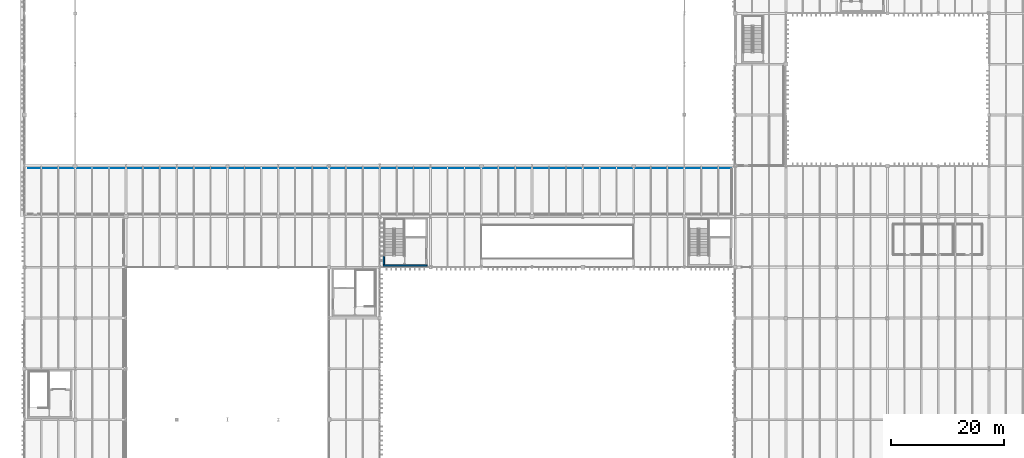
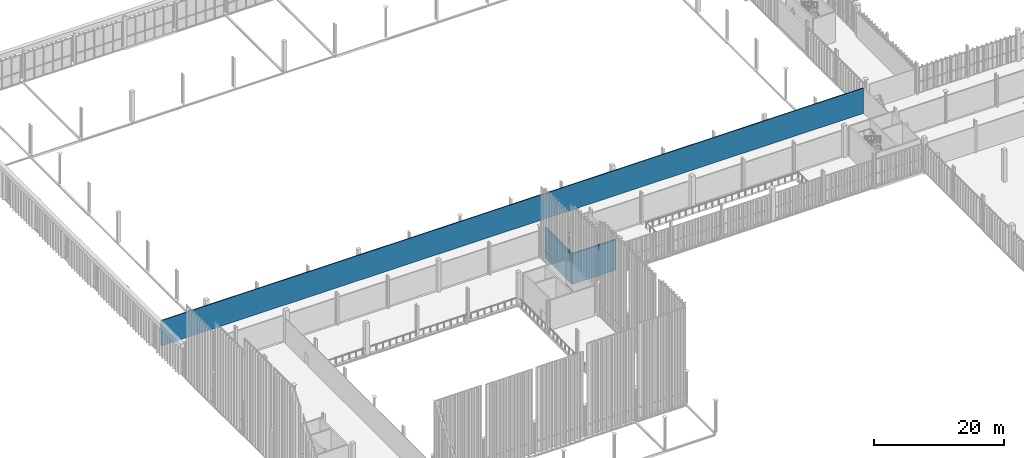
# One storey, part 207 of 237: 3 walls.
"""IFC4 building model written with IfcOpenShell, lengths in metres."""

from ifc_helpers import new_model, si_unit, direction, frame, frame_2d, origin, place, context, subcontext, project, spatial, rectangle, extrude, material, layer, layer_set, type_object, element, save


model = new_model("IFC4")

# Units and contexts
model_context = context("Model", 3, precision=1e-05, world=origin(), true_north=direction((0.0, 1.0)))
body_context = subcontext(model_context, "Body", "Model", "MODEL_VIEW")
ifc_project = project(units=[si_unit("LENGTHUNIT", "METRE"), si_unit("AREAUNIT", "SQUARE_METRE"), si_unit("VOLUMEUNIT", "CUBIC_METRE"), si_unit("PLANEANGLEUNIT", "RADIAN"), si_unit("MASSUNIT", "GRAM", prefix="KILO")], contexts=[model_context])

# Site, building, storey
site_placement = place(None, origin())
site = spatial("IfcSite", under=ifc_project, at=site_placement, CompositionType="ELEMENT")
building_placement = place(site_placement, origin())
building = spatial("IfcBuilding", under=site, at=building_placement, Name="Barlavento Convention Centre", CompositionType="ELEMENT")
storey_placement = place(building_placement, frame((0.0, 0.0, 12.0)))
storey = spatial("IfcBuildingStorey", under=building, at=storey_placement, Name="L02", CompositionType="ELEMENT", Elevation=12.0)

# Walls
ifc_material_1 = material(Name="Fire-rated gypsum partition")
ifc_layer_1 = layer(ifc_material_1, 0.169921875)
ifc_layer_set_1 = layer_set([ifc_layer_1], Name="ARC-WL-PART-170")
wall_type_1 = type_object("IfcWallType", Name="ARC-WL-PART-170", PredefinedType="PARTITIONING", material=ifc_layer_set_1)
wall_1_placement = place(storey_placement, frame((0.701904296875, 62.60009765625, 0.0), z_axis=(0.0, 0.0, 1.0), x_axis=(1.0, 0.0, 0.0)))
element("IfcWall", 1, at=wall_1_placement, inside=storey, type_object=wall_type_1, Name="L02 interior wall PT-02", PredefinedType="PARTITIONING", context=body_context, shape_type="SweptSolid", body=[
    extrude(rectangle(XDim=124.59619140625, YDim=0.169921875, at=frame_2d((62.298095703125, 0.0))), origin(), (0.0, 0.0, 1.0), 4.75),
])
ifc_material_2 = material(Name="Concrete C50/60", Category="concrete")
ifc_layer_2 = layer(ifc_material_2, 0.25)
ifc_layer_set_2 = layer_set([ifc_layer_2], Name="STR-WL-CORE-250")
wall_type_2 = type_object("IfcWallType", Name="STR-WL-CORE-250", PredefinedType="SHEAR", material=ifc_layer_set_2)
wall_2_placement = place(storey_placement, frame((63.72509765625, 45.469970703125, 0.0), z_axis=(0.0, 0.0, 1.0), x_axis=(0.0, 1.0, 0.0)))
element("IfcWall", 2, at=wall_2_placement, inside=storey, type_object=wall_type_2, Name="L02 interior wall CW-02", PredefinedType="SHEAR", context=body_context, shape_type="SweptSolid", body=[
    extrude(rectangle(XDim=8.06005859375, YDim=0.25, at=frame_2d((4.030029296875, 0.0))), origin(), (0.0, 0.0, 1.0), 5.699951171875),
])
wall_3_placement = place(storey_placement, frame((63.60009765625, 45.344970703125, 0.0), z_axis=(0.0, 0.0, 1.0), x_axis=(1.0, 0.0, 0.0)))
element("IfcWall", 3, at=wall_3_placement, inside=storey, type_object=wall_type_2, Name="L02 interior wall CW-02", PredefinedType="SHEAR", context=body_context, shape_type="SweptSolid", body=[
    extrude(rectangle(XDim=7.7998046875, YDim=0.25, at=frame_2d((3.89990234375, 0.0))), origin(), (0.0, 0.0, 1.0), 5.699951171875),
])

save(model, "model.ifc")
